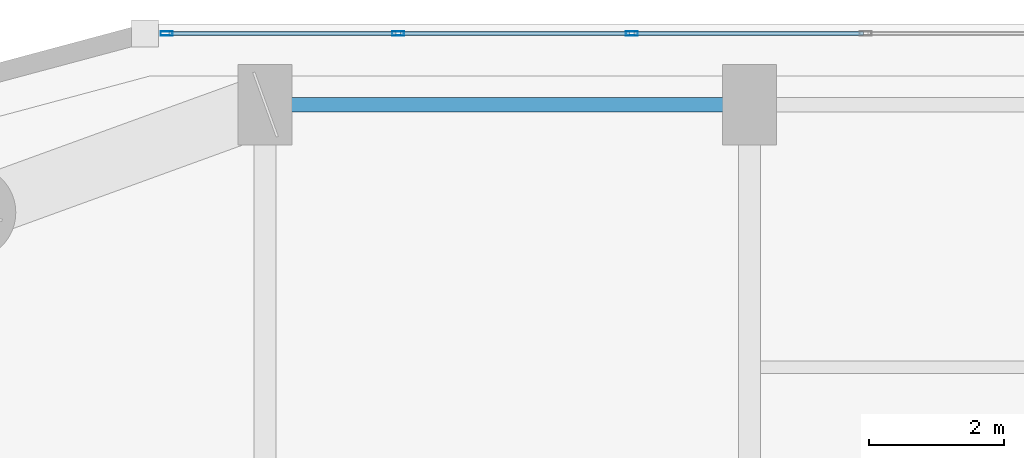
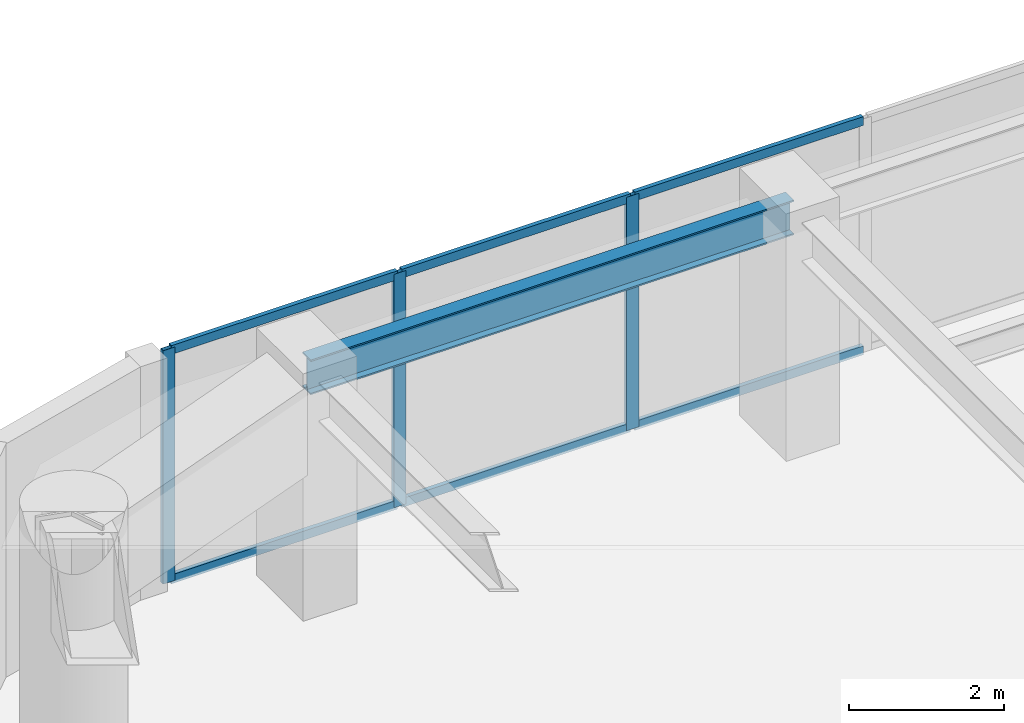
# One storey, part 17 of 30: 9 members, 1 beam, 1 element without a shape of its own.
"""IFC4 building model written with IfcOpenShell, lengths in metres."""

from ifc_helpers import new_model, si_unit, direction, frame, origin, origin_2d, place, context, subcontext, project, spatial, hollow_rectangle, i_section, extrude, material, layer, layer_set, material_profile, profile_set, type_object, element, aggregate, save


model = new_model("IFC4")

# Units and contexts
model_context = context("Model", 3, precision=1e-05, world=origin(), true_north=direction((0.0, 1.0)))
body_context = subcontext(model_context, "Body", "Model", "MODEL_VIEW")
ifc_project = project(units=[si_unit("LENGTHUNIT", "METRE"), si_unit("AREAUNIT", "SQUARE_METRE"), si_unit("VOLUMEUNIT", "CUBIC_METRE"), si_unit("PLANEANGLEUNIT", "RADIAN"), si_unit("MASSUNIT", "GRAM", prefix="KILO")], contexts=[model_context])

# Site, building, storey
site_placement = place(None, origin())
site = spatial("IfcSite", under=ifc_project, at=site_placement, CompositionType="ELEMENT")
building_placement = place(site_placement, origin())
building = spatial("IfcBuilding", under=site, at=building_placement, Name="Kiyonajd Concourse Tower", CompositionType="ELEMENT")
storey_placement = place(building_placement, frame((0.0, 0.0, 150.60009765625)))
storey = spatial("IfcBuildingStorey", under=building, at=storey_placement, Name="L38", CompositionType="ELEMENT", Elevation=150.60009765625)

# Beam
ifc_material_1 = material(Name="Steel ASTM A992 Grade 50", Category="steel")
ifc_material_profile_1 = material_profile(ifc_material_1, i_section(OverallWidth=0.214111328125, OverallDepth=0.549072265625, WebThickness=0.0146484375, FlangeThickness=0.023681640625, at=origin_2d()), Name="W530X138")
ifc_profile_set_1 = profile_set([ifc_material_profile_1], Name="Steel ASTM A992 Grade 50")
beam_type = type_object("IfcBeamType", Name="BM-SPAN-530A", PredefinedType="SPANDREL", material=ifc_profile_set_1)
beam_placement = place(storey_placement, frame((32.39990234375, 61.199951171875, 3.405517578125), z_axis=(-1.0, 0.0, 0.0), x_axis=(0.0, -1.0, 0.0)))
element("IfcBeam", 1, at=beam_placement, inside=storey, type_object=beam_type, Name="L38 Perimeter Bundled Tube Spandrel", PredefinedType="SPANDREL", context=body_context, shape_type="SweptSolid", body=[
    extrude(i_section(OverallWidth=0.214111328125, OverallDepth=0.549072265625, WebThickness=0.0146484375, FlangeThickness=0.023681640625, at=origin_2d()), origin(), (0.0, 0.0, 1.0), 7.199951171875),
])

# Curtain wall, members
ifc_material_2 = material(Name="Thermally Broken Anodised Aluminium", Category="aluminium")
ifc_layer = layer(ifc_material_2, 0.179931640625)
ifc_layer_set = layer_set([ifc_layer], Name="Thermally Broken Anodised Aluminium")
curtain_wall_type = type_object("IfcCurtainWallType", Name="CW-SYS-03", PredefinedType="NOTDEFINED", material=ifc_layer_set)
curtain_wall_placement = place(storey_placement, origin())
curtain_wall = element("IfcCurtainWall", 2, at=curtain_wall_placement, inside=storey, type_object=curtain_wall_type, Name="L38 Unitised Curtain Wall CW3", PredefinedType="NOTDEFINED")
ifc_material_profile_2 = material_profile(ifc_material_2, hollow_rectangle(XDim=0.06494140625, YDim=0.179931640625, WallThickness=0.00390625, at=origin_2d()), Name="MULL-65x180")
ifc_profile_set_2 = profile_set([ifc_material_profile_2], Name="Thermally Broken Anodised Aluminium")
member_type_1 = type_object("IfcMemberType", Name="MB-CW-MULL1", PredefinedType="MULLION", material=ifc_profile_set_2)
member_1_placement = place(storey_placement, frame((23.740966796875, 62.260009765625, 0.0), z_axis=(0.0, 0.0, 1.0), x_axis=(0.0, 1.0, 0.0)))
member_1 = element("IfcMember", 3, at=member_1_placement, type_object=member_type_1, Name="CW3 mullion 1", PredefinedType="MULLION", context=body_context, shape_type="SweptSolid", body=[
    extrude(hollow_rectangle(XDim=0.06494140625, YDim=0.179931640625, WallThickness=0.00390625, at=origin_2d()), origin(), (0.0, 0.0, 1.0), 3.679931640625),
])
member_2_placement = place(storey_placement, frame((27.180908203125, 62.260009765625, 0.0), z_axis=(0.0, 0.0, 1.0), x_axis=(0.0, 1.0, 0.0)))
member_2 = element("IfcMember", 4, at=member_2_placement, type_object=member_type_1, Name="CW3 mullion 2", PredefinedType="MULLION", context=body_context, shape_type="SweptSolid", body=[
    extrude(hollow_rectangle(XDim=0.06494140625, YDim=0.179931640625, WallThickness=0.00390625, at=origin_2d()), origin(), (0.0, 0.0, 1.0), 3.679931640625),
])
member_3_placement = place(storey_placement, frame((30.6533203125, 62.260009765625, 0.0), z_axis=(0.0, 0.0, 1.0), x_axis=(0.0, 1.0, 0.0)))
member_3 = element("IfcMember", 5, at=member_3_placement, type_object=member_type_1, Name="CW3 mullion 3", PredefinedType="MULLION", context=body_context, shape_type="SweptSolid", body=[
    extrude(hollow_rectangle(XDim=0.06494140625, YDim=0.179931640625, WallThickness=0.00390625, at=origin_2d()), origin(), (0.0, 0.0, 1.0), 3.679931640625),
])
ifc_material_profile_3 = material_profile(ifc_material_2, hollow_rectangle(XDim=0.06494140625, YDim=0.139892578125, WallThickness=0.00390625, at=origin_2d()), Name="TRAN-65x140")
ifc_profile_set_3 = profile_set([ifc_material_profile_3], Name="Thermally Broken Anodised Aluminium")
member_type_2 = type_object("IfcMemberType", Name="MB-CW-TRAN1", PredefinedType="USERDEFINED", material=ifc_profile_set_3)
member_4_placement = place(storey_placement, frame((23.7734375, 62.260009765625, 0.032470703125), z_axis=(1.0, 0.0, 0.0), x_axis=(0.0, 1.0, 0.0)))
member_4 = element("IfcMember", 6, at=member_4_placement, type_object=member_type_2, Name="CW3 transom 1.1", ObjectType="TRANSOM", PredefinedType="USERDEFINED", context=body_context, shape_type="SweptSolid", body=[
    extrude(hollow_rectangle(XDim=0.06494140625, YDim=0.139892578125, WallThickness=0.00390625, at=origin_2d()), origin(), (0.0, 0.0, 1.0), 3.374755859375),
])
member_5_placement = place(storey_placement, frame((23.7734375, 62.260009765625, 3.6474609375), z_axis=(1.0, 0.0, 0.0), x_axis=(0.0, 1.0, 0.0)))
member_5 = element("IfcMember", 7, at=member_5_placement, type_object=member_type_2, Name="CW3 transom 1.2", ObjectType="TRANSOM", PredefinedType="USERDEFINED", context=body_context, shape_type="SweptSolid", body=[
    extrude(hollow_rectangle(XDim=0.06494140625, YDim=0.139892578125, WallThickness=0.00390625, at=origin_2d()), origin(), (0.0, 0.0, 1.0), 3.374755859375),
])
member_6_placement = place(storey_placement, frame((27.21337890625, 62.260009765625, 0.032470703125), z_axis=(1.0, 0.0, 0.0), x_axis=(0.0, 1.0, 0.0)))
member_6 = element("IfcMember", 8, at=member_6_placement, type_object=member_type_2, Name="CW3 transom 2.1", ObjectType="TRANSOM", PredefinedType="USERDEFINED", context=body_context, shape_type="SweptSolid", body=[
    extrude(hollow_rectangle(XDim=0.06494140625, YDim=0.139892578125, WallThickness=0.00390625, at=origin_2d()), origin(), (0.0, 0.0, 1.0), 3.4072265625),
])
member_7_placement = place(storey_placement, frame((27.21337890625, 62.260009765625, 3.6474609375), z_axis=(1.0, 0.0, 0.0), x_axis=(0.0, 1.0, 0.0)))
member_7 = element("IfcMember", 9, at=member_7_placement, type_object=member_type_2, Name="CW3 transom 2.2", ObjectType="TRANSOM", PredefinedType="USERDEFINED", context=body_context, shape_type="SweptSolid", body=[
    extrude(hollow_rectangle(XDim=0.06494140625, YDim=0.139892578125, WallThickness=0.00390625, at=origin_2d()), origin(), (0.0, 0.0, 1.0), 3.4072265625),
])
member_8_placement = place(storey_placement, frame((30.685791015625, 62.260009765625, 0.032470703125), z_axis=(1.0, 0.0, 0.0), x_axis=(0.0, 1.0, 0.0)))
member_8 = element("IfcMember", 10, at=member_8_placement, type_object=member_type_2, Name="CW3 transom 3.1", ObjectType="TRANSOM", PredefinedType="USERDEFINED", context=body_context, shape_type="SweptSolid", body=[
    extrude(hollow_rectangle(XDim=0.06494140625, YDim=0.139892578125, WallThickness=0.00390625, at=origin_2d()), origin(), (0.0, 0.0, 1.0), 3.4072265625),
])
member_9_placement = place(storey_placement, frame((30.685791015625, 62.260009765625, 3.6474609375), z_axis=(1.0, 0.0, 0.0), x_axis=(0.0, 1.0, 0.0)))
member_9 = element("IfcMember", 11, at=member_9_placement, type_object=member_type_2, Name="CW3 transom 3.2", ObjectType="TRANSOM", PredefinedType="USERDEFINED", context=body_context, shape_type="SweptSolid", body=[
    extrude(hollow_rectangle(XDim=0.06494140625, YDim=0.139892578125, WallThickness=0.00390625, at=origin_2d()), origin(), (0.0, 0.0, 1.0), 3.4072265625),
])
aggregate(curtain_wall, [member_1, member_2, member_3, member_4, member_5, member_6, member_7, member_8, member_9])

save(model, "model.ifc")
